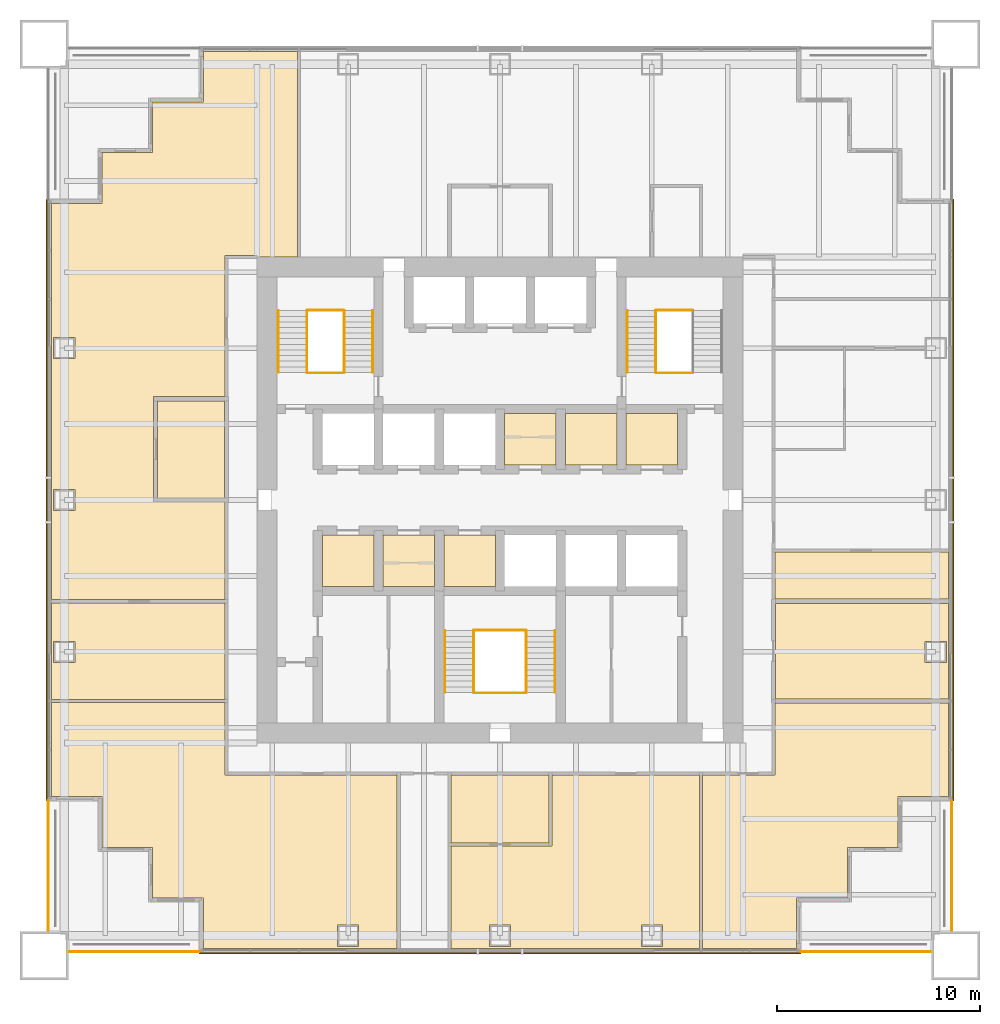
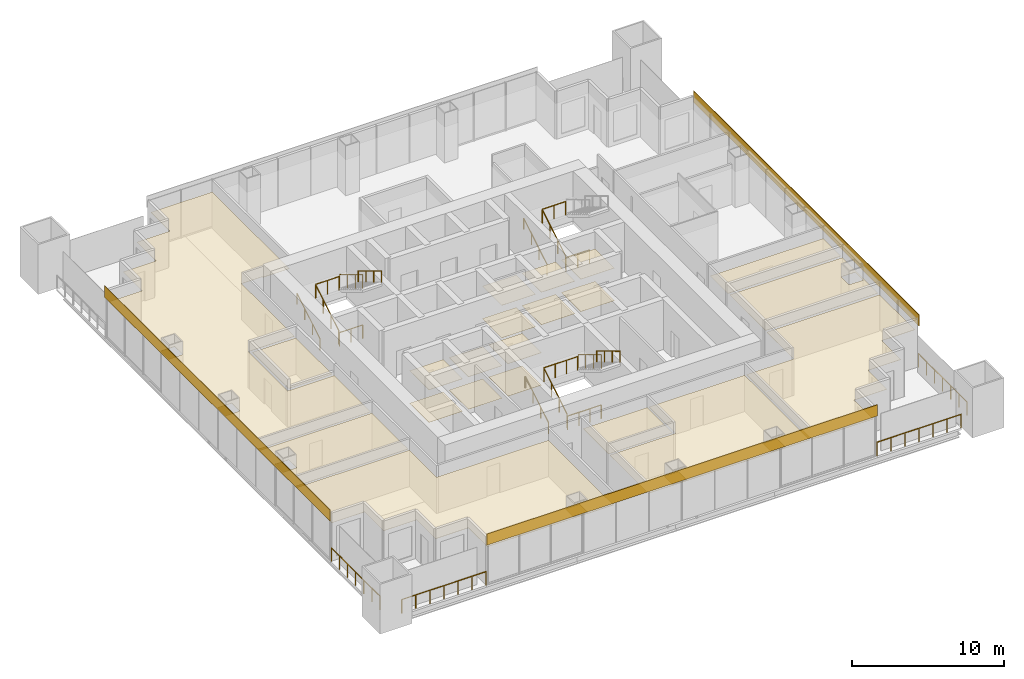
# One storey, part 12 of 13: 24 coverings, 20 railings.
"""IFC4 building model written with IfcOpenShell, lengths in metres."""

from ifc_helpers import new_model, si_unit, direction, frame, origin, origin_2d, place, context, subcontext, project, spatial, polyline, rectangle, circle, outline, extrude, material, layer, layer_set, type_object, element, save


model = new_model("IFC4")

# Units and contexts
model_context = context("Model", 3, precision=1e-05, world=origin(), true_north=direction((0.0, 1.0)))
body_context = subcontext(model_context, "Body", "Model", "MODEL_VIEW")
ifc_project = project(units=[si_unit("LENGTHUNIT", "METRE"), si_unit("AREAUNIT", "SQUARE_METRE"), si_unit("VOLUMEUNIT", "CUBIC_METRE"), si_unit("PLANEANGLEUNIT", "RADIAN"), si_unit("MASSUNIT", "GRAM", prefix="KILO")], contexts=[model_context])

# Site, building, storey
site_placement = place(None, origin())
site = spatial("IfcSite", under=ifc_project, at=site_placement, CompositionType="ELEMENT")
building_placement = place(site_placement, origin())
building = spatial("IfcBuilding", under=site, at=building_placement, Name="Tarangal Relay Tower", CompositionType="ELEMENT")
storey_placement = place(building_placement, frame((0.0, 0.0, 197.89990234375)))
storey = spatial("IfcBuildingStorey", under=building, at=storey_placement, Name="L41", CompositionType="ELEMENT", Elevation=197.89990234375)

# Coverings
ifc_material_1 = material(Name="Anti-static vinyl flooring", Category="plastic")
ifc_layer_1 = layer(ifc_material_1, 0.010009765625)
ifc_layer_set_1 = layer_set([ifc_layer_1], Name="Anti-static vinyl floor")
covering_type_1 = type_object("IfcCoveringType", Name="Anti-static vinyl floor", PredefinedType="FLOORING", material=ifc_layer_set_1)
covering_1_placement = place(storey_placement, origin())
element("IfcCovering", 1, at=covering_1_placement, inside=storey, type_object=covering_type_1, Name="Floor finish FL1 L41-T1", PredefinedType="FLOORING", context=body_context, shape_type="SweptSolid", body=[
    extrude(outline(polyline([(0.22509765625, 1.72509765625), (2.77490234375, 1.72509765625), (2.77490234375, 4.27490234375), (0.22509765625, 4.27490234375), (0.22509765625, 1.72509765625)])), origin(), (0.0, 0.0, 1.0), 0.010009765625),
])
covering_2_placement = place(storey_placement, origin())
element("IfcCovering", 2, at=covering_2_placement, inside=storey, type_object=covering_type_1, Name="Floor finish FL1 L41-T2", PredefinedType="FLOORING", context=body_context, shape_type="SweptSolid", body=[
    extrude(outline(polyline([(3.22509765625, 1.72509765625), (5.77490234375, 1.72509765625), (5.77490234375, 4.27490234375), (3.22509765625, 4.27490234375), (3.22509765625, 1.72509765625)])), origin(), (0.0, 0.0, 1.0), 0.010009765625),
])
covering_3_placement = place(storey_placement, origin())
element("IfcCovering", 3, at=covering_3_placement, inside=storey, type_object=covering_type_1, Name="Floor finish FL1 L41-T3", PredefinedType="FLOORING", context=body_context, shape_type="SweptSolid", body=[
    extrude(outline(polyline([(6.22509765625, 1.72509765625), (8.77490234375, 1.72509765625), (8.77490234375, 4.27490234375), (6.22509765625, 4.27490234375), (6.22509765625, 1.72509765625)])), origin(), (0.0, 0.0, 1.0), 0.010009765625),
])
covering_4_placement = place(storey_placement, origin())
element("IfcCovering", 4, at=covering_4_placement, inside=storey, type_object=covering_type_1, Name="Floor finish FL1 L41-S1", PredefinedType="FLOORING", context=body_context, shape_type="SweptSolid", body=[
    extrude(outline(polyline([(-8.77490234375, -4.27490234375), (-6.22509765625, -4.27490234375), (-6.22509765625, -1.72509765625), (-8.77490234375, -1.72509765625), (-8.77490234375, -4.27490234375)])), origin(), (0.0, 0.0, 1.0), 0.010009765625),
])
covering_5_placement = place(storey_placement, origin())
element("IfcCovering", 5, at=covering_5_placement, inside=storey, type_object=covering_type_1, Name="Floor finish FL1 L41-S2", PredefinedType="FLOORING", context=body_context, shape_type="SweptSolid", body=[
    extrude(outline(polyline([(-5.77490234375, -4.27490234375), (-3.22509765625, -4.27490234375), (-3.22509765625, -1.72509765625), (-5.77490234375, -1.72509765625), (-5.77490234375, -4.27490234375)])), origin(), (0.0, 0.0, 1.0), 0.010009765625),
])
covering_6_placement = place(storey_placement, origin())
element("IfcCovering", 6, at=covering_6_placement, inside=storey, type_object=covering_type_1, Name="Floor finish FL1 L41-S3", PredefinedType="FLOORING", context=body_context, shape_type="SweptSolid", body=[
    extrude(outline(polyline([(-2.77490234375, -4.27490234375), (-0.22509765625, -4.27490234375), (-0.22509765625, -1.72509765625), (-2.77490234375, -1.72509765625), (-2.77490234375, -4.27490234375)])), origin(), (0.0, 0.0, 1.0), 0.010009765625),
])
ifc_material_2 = material(Name="Black anodised aluminium cladding", Category="aluminium")
ifc_layer_2 = layer(ifc_material_2, 0.050048828125)
ifc_layer_set_2 = layer_set([ifc_layer_2], Name="Black metal spandrel band")
covering_type_2 = type_object("IfcCoveringType", Name="Black metal spandrel band", PredefinedType="CLADDING", material=ifc_layer_set_2)
for number, where, z_axis, x_axis, name in (
    (7, (22.375, 0.0, 3.250244140625), (0.0, 0.0, 1.0), (0.0, -1.0, 0.0), "Spandrel band SB1 E L41"),
    (8, (0.0, -22.375, 3.250244140625), (0.0, 0.0, 1.0), (-1.0, 0.0, 0.0), "Spandrel band SB1 S L41"),
    (9, (-22.375, 0.0, 3.250244140625), (0.0, 0.0, 1.0), (0.0, 1.0, 0.0), "Spandrel band SB1 W L41"),
):
    element("IfcCovering", number, at=place(storey_placement, frame(where, z_axis=z_axis, x_axis=x_axis)), inside=storey, type_object=covering_type_2, Name=name, PredefinedType="CLADDING", context=body_context, shape_type="SweptSolid", body=[
        extrude(rectangle(XDim=29.699951171875, YDim=0.050048828125, at=origin_2d()), origin(), (0.0, 0.0, 1.0), 0.89990234375),
    ])

# Railings
ifc_material_3 = material(Name="Steel guard, black finish", Category="steel")
railing_type_1 = type_object("IfcRailingType", Name="Stair guard 1100", PredefinedType="GUARDRAIL", material=ifc_material_3)
railing_1_placement = place(storey_placement, frame((-9.530029296875, 6.300048828125, 0.166748046875)))
element("IfcRailing", 10, at=railing_1_placement, inside=storey, type_object=railing_type_1, Name="Stair ST-A guard GR1 L41 flight 1", PredefinedType="GUARDRAIL", context=body_context, shape_type="SweptSolid", body=[
    extrude(circle(Radius=0.02392578125, at=origin_2d()), frame((0.0, 0.0, 1.076171875), z_axis=(0.0, 0.85685617095, 0.515555527858), x_axis=(-1.0, 0.0, 0.0)), (0.0, 0.0, 1.0), 3.555908203125),
    extrude(circle(Radius=0.02099609375, at=origin_2d()), origin(), (0.0, 0.0, 1.0), 1.052001953125),
    extrude(circle(Radius=0.02099609375, at=origin_2d()), frame((0.0, 1.015625, 0.611083984375)), (0.0, 0.0, 1.0), 1.052001953125),
    extrude(circle(Radius=0.02099609375, at=origin_2d()), frame((0.0, 2.03125, 1.22216796875)), (0.0, 0.0, 1.0), 1.052001953125),
    extrude(circle(Radius=0.02099609375, at=origin_2d()), frame((0.0, 3.046875, 1.833251953125)), (0.0, 0.0, 1.0), 1.052001953125),
])
railing_2_placement = place(storey_placement, frame((-7.695068359375, 9.346923828125, 2.166748046875)))
element("IfcRailing", 11, at=railing_2_placement, inside=storey, type_object=railing_type_1, Name="Stair ST-A guard GR1 L41 flight 2", PredefinedType="GUARDRAIL", context=body_context, shape_type="SweptSolid", body=[
    extrude(circle(Radius=0.02392578125, at=origin_2d()), frame((0.0, 0.0, 1.076171875), z_axis=(0.0, -0.85685617095, 0.515555527858), x_axis=(1.0, 0.0, 0.0)), (0.0, 0.0, 1.0), 3.555908203125),
    extrude(circle(Radius=0.02099609375, at=origin_2d()), origin(), (0.0, 0.0, 1.0), 1.052001953125),
    extrude(circle(Radius=0.02099609375, at=origin_2d()), frame((0.0, -1.015625, 0.611083984375)), (0.0, 0.0, 1.0), 1.052001953125),
    extrude(circle(Radius=0.02099609375, at=origin_2d()), frame((0.0, -2.03125, 1.22216796875)), (0.0, 0.0, 1.0), 1.052001953125),
    extrude(circle(Radius=0.02099609375, at=origin_2d()), frame((0.0, -3.046875, 1.833251953125)), (0.0, 0.0, 1.0), 1.052001953125),
])
for number, where, name in (
    (12, (-9.5, 6.27001953125, 0.0), "Stair ST-A landing guard GR1 L41"),
    (13, (-9.5, 9.376953125, 2.0), "Stair ST-A landing guard GR1 L41"),
):
    element("IfcRailing", number, at=place(storey_placement, frame(where)), inside=storey, type_object=railing_type_1, Name=name, PredefinedType="GUARDRAIL", context=body_context, shape_type="SweptSolid", body=[
        extrude(circle(Radius=0.02392578125, at=origin_2d()), frame((0.0, 0.0, 1.076171875), z_axis=(1.0, 0.0, 0.0), x_axis=(0.0, 1.0, 0.0)), (0.0, 0.0, 1.0), 1.77490234375),
        extrude(circle(Radius=0.02099609375, at=origin_2d()), origin(), (0.0, 0.0, 1.0), 1.052001953125),
        extrude(circle(Radius=0.02099609375, at=origin_2d()), frame((0.887451171875, 0.0, 0.0)), (0.0, 0.0, 1.0), 1.052001953125),
        extrude(circle(Radius=0.02099609375, at=origin_2d()), frame((1.77490234375, 0.0, 0.0)), (0.0, 0.0, 1.0), 1.052001953125),
    ])
railing_3_placement = place(storey_placement, frame((7.695068359375, 6.300048828125, 0.166748046875)))
element("IfcRailing", 14, at=railing_3_placement, inside=storey, type_object=railing_type_1, Name="Stair ST-B guard GR1 L41 flight 1", PredefinedType="GUARDRAIL", context=body_context, shape_type="SweptSolid", body=[
    extrude(circle(Radius=0.02392578125, at=origin_2d()), frame((0.0, 0.0, 1.076171875), z_axis=(0.0, 0.85685617095, 0.515555527858), x_axis=(-1.0, 0.0, 0.0)), (0.0, 0.0, 1.0), 3.555908203125),
    extrude(circle(Radius=0.02099609375, at=origin_2d()), origin(), (0.0, 0.0, 1.0), 1.052001953125),
    extrude(circle(Radius=0.02099609375, at=origin_2d()), frame((0.0, 1.015625, 0.611083984375)), (0.0, 0.0, 1.0), 1.052001953125),
    extrude(circle(Radius=0.02099609375, at=origin_2d()), frame((0.0, 2.03125, 1.22216796875)), (0.0, 0.0, 1.0), 1.052001953125),
    extrude(circle(Radius=0.02099609375, at=origin_2d()), frame((0.0, 3.046875, 1.833251953125)), (0.0, 0.0, 1.0), 1.052001953125),
])
for number, where, name in (
    (15, (7.72509765625, 6.27001953125, 0.0), "Stair ST-B landing guard GR1 L41"),
    (16, (7.72509765625, 9.376953125, 2.0), "Stair ST-B landing guard GR1 L41"),
):
    element("IfcRailing", number, at=place(storey_placement, frame(where)), inside=storey, type_object=railing_type_1, Name=name, PredefinedType="GUARDRAIL", context=body_context, shape_type="SweptSolid", body=[
        extrude(circle(Radius=0.02392578125, at=origin_2d()), frame((0.0, 0.0, 1.076171875), z_axis=(1.0, 0.0, 0.0), x_axis=(0.0, 1.0, 0.0)), (0.0, 0.0, 1.0), 1.77490234375),
        extrude(circle(Radius=0.02099609375, at=origin_2d()), origin(), (0.0, 0.0, 1.0), 1.052001953125),
        extrude(circle(Radius=0.02099609375, at=origin_2d()), frame((0.887451171875, 0.0, 0.0)), (0.0, 0.0, 1.0), 1.052001953125),
        extrude(circle(Radius=0.02099609375, at=origin_2d()), frame((1.77490234375, 0.0, 0.0)), (0.0, 0.0, 1.0), 1.052001953125),
    ])
railing_4_placement = place(storey_placement, frame((-1.304931640625, -9.5, 0.166748046875)))
element("IfcRailing", 17, at=railing_4_placement, inside=storey, type_object=railing_type_1, Name="Stair ST-C guard GR1 L41 flight 1", PredefinedType="GUARDRAIL", context=body_context, shape_type="SweptSolid", body=[
    extrude(circle(Radius=0.02392578125, at=origin_2d()), frame((0.0, 0.0, 1.076171875), z_axis=(0.0, 0.856874418557, 0.515525199018), x_axis=(-1.0, 0.0, 0.0)), (0.0, 0.0, 1.0), 3.55615234375),
    extrude(circle(Radius=0.02099609375, at=origin_2d()), origin(), (0.0, 0.0, 1.0), 1.052001953125),
    extrude(circle(Radius=0.02099609375, at=origin_2d()), frame((0.0, 1.015625, 0.611083984375)), (0.0, 0.0, 1.0), 1.052001953125),
    extrude(circle(Radius=0.02099609375, at=origin_2d()), frame((0.0, 2.031494140625, 1.22216796875)), (0.0, 0.0, 1.0), 1.052001953125),
    extrude(circle(Radius=0.02099609375, at=origin_2d()), frame((0.0, 3.047119140625, 1.833251953125)), (0.0, 0.0, 1.0), 1.052001953125),
])
railing_5_placement = place(storey_placement, frame((1.304931640625, -6.452880859375, 2.166748046875)))
element("IfcRailing", 18, at=railing_5_placement, inside=storey, type_object=railing_type_1, Name="Stair ST-C guard GR1 L41 flight 2", PredefinedType="GUARDRAIL", context=body_context, shape_type="SweptSolid", body=[
    extrude(circle(Radius=0.02392578125, at=origin_2d()), frame((0.0, 0.0, 1.076171875), z_axis=(0.0, -0.856874418557, 0.515525199018), x_axis=(1.0, 0.0, 0.0)), (0.0, 0.0, 1.0), 3.55615234375),
    extrude(circle(Radius=0.02099609375, at=origin_2d()), origin(), (0.0, 0.0, 1.0), 1.052001953125),
    extrude(circle(Radius=0.02099609375, at=origin_2d()), frame((0.0, -1.015625, 0.611083984375)), (0.0, 0.0, 1.0), 1.052001953125),
    extrude(circle(Radius=0.02099609375, at=origin_2d()), frame((0.0, -2.031494140625, 1.22216796875)), (0.0, 0.0, 1.0), 1.052001953125),
    extrude(circle(Radius=0.02099609375, at=origin_2d()), frame((0.0, -3.047119140625, 1.833251953125)), (0.0, 0.0, 1.0), 1.052001953125),
])
for number, where, name in (
    (19, (-1.27490234375, -9.530029296875, 0.0), "Stair ST-C landing guard GR1 L41"),
    (20, (-1.27490234375, -6.423095703125, 2.0), "Stair ST-C landing guard GR1 L41"),
):
    element("IfcRailing", number, at=place(storey_placement, frame(where)), inside=storey, type_object=railing_type_1, Name=name, PredefinedType="GUARDRAIL", context=body_context, shape_type="SweptSolid", body=[
        extrude(circle(Radius=0.02392578125, at=origin_2d()), frame((0.0, 0.0, 1.076171875), z_axis=(1.0, 0.0, 0.0), x_axis=(0.0, 1.0, 0.0)), (0.0, 0.0, 1.0), 2.5498046875),
        extrude(circle(Radius=0.02099609375, at=origin_2d()), origin(), (0.0, 0.0, 1.0), 1.052001953125),
        extrude(circle(Radius=0.02099609375, at=origin_2d()), frame((0.849853515625, 0.0, 0.0)), (0.0, 0.0, 1.0), 1.052001953125),
        extrude(circle(Radius=0.02099609375, at=origin_2d()), frame((1.699951171875, 0.0, 0.0)), (0.0, 0.0, 1.0), 1.052001953125),
        extrude(circle(Radius=0.02099609375, at=origin_2d()), frame((2.5498046875, 0.0, 0.0)), (0.0, 0.0, 1.0), 1.052001953125),
    ])
ifc_material_4 = material(Name="Steel handrail, black finish", Category="steel")
railing_type_2 = type_object("IfcRailingType", Name="Stair handrail 900", PredefinedType="HANDRAIL", material=ifc_material_4)
railing_6_placement = place(storey_placement, frame((-10.93994140625, 6.300048828125, 0.166748046875)))
element("IfcRailing", 21, at=railing_6_placement, inside=storey, type_object=railing_type_2, Name="Stair ST-A handrail HR1 L41 flight 1", PredefinedType="HANDRAIL", context=body_context, shape_type="SweptSolid", body=[
    extrude(circle(Radius=0.02392578125, at=origin_2d()), frame((0.0, 0.0, 0.8759765625), z_axis=(0.0, 0.85685617095, 0.515555527858), x_axis=(-1.0, 0.0, 0.0)), (0.0, 0.0, 1.0), 3.555908203125),
    extrude(circle(Radius=0.02099609375, at=origin_2d()), origin(), (0.0, 0.0, 1.0), 0.851806640625),
    extrude(circle(Radius=0.02099609375, at=origin_2d()), frame((0.0, 1.015625, 0.611083984375)), (0.0, 0.0, 1.0), 0.851806640625),
    extrude(circle(Radius=0.02099609375, at=origin_2d()), frame((0.0, 2.03125, 1.22216796875)), (0.0, 0.0, 1.0), 0.851806640625),
    extrude(circle(Radius=0.02099609375, at=origin_2d()), frame((0.0, 3.046875, 1.833251953125)), (0.0, 0.0, 1.0), 0.851806640625),
])
railing_7_placement = place(storey_placement, frame((-6.284912109375, 9.346923828125, 2.166748046875)))
element("IfcRailing", 22, at=railing_7_placement, inside=storey, type_object=railing_type_2, Name="Stair ST-A handrail HR1 L41 flight 2", PredefinedType="HANDRAIL", context=body_context, shape_type="SweptSolid", body=[
    extrude(circle(Radius=0.02392578125, at=origin_2d()), frame((0.0, 0.0, 0.8759765625), z_axis=(0.0, -0.85685617095, 0.515555527858), x_axis=(1.0, 0.0, 0.0)), (0.0, 0.0, 1.0), 3.555908203125),
    extrude(circle(Radius=0.02099609375, at=origin_2d()), origin(), (0.0, 0.0, 1.0), 0.851806640625),
    extrude(circle(Radius=0.02099609375, at=origin_2d()), frame((0.0, -1.015625, 0.611083984375)), (0.0, 0.0, 1.0), 0.851806640625),
    extrude(circle(Radius=0.02099609375, at=origin_2d()), frame((0.0, -2.03125, 1.22216796875)), (0.0, 0.0, 1.0), 0.851806640625),
    extrude(circle(Radius=0.02099609375, at=origin_2d()), frame((0.0, -3.046875, 1.833251953125)), (0.0, 0.0, 1.0), 0.851806640625),
])
railing_8_placement = place(storey_placement, frame((6.284912109375, 6.300048828125, 0.166748046875)))
element("IfcRailing", 23, at=railing_8_placement, inside=storey, type_object=railing_type_2, Name="Stair ST-B handrail HR1 L41 flight 1", PredefinedType="HANDRAIL", context=body_context, shape_type="SweptSolid", body=[
    extrude(circle(Radius=0.02392578125, at=origin_2d()), frame((0.0, 0.0, 0.8759765625), z_axis=(0.0, 0.85685617095, 0.515555527858), x_axis=(-1.0, 0.0, 0.0)), (0.0, 0.0, 1.0), 3.555908203125),
    extrude(circle(Radius=0.02099609375, at=origin_2d()), origin(), (0.0, 0.0, 1.0), 0.851806640625),
    extrude(circle(Radius=0.02099609375, at=origin_2d()), frame((0.0, 1.015625, 0.611083984375)), (0.0, 0.0, 1.0), 0.851806640625),
    extrude(circle(Radius=0.02099609375, at=origin_2d()), frame((0.0, 2.03125, 1.22216796875)), (0.0, 0.0, 1.0), 0.851806640625),
    extrude(circle(Radius=0.02099609375, at=origin_2d()), frame((0.0, 3.046875, 1.833251953125)), (0.0, 0.0, 1.0), 0.851806640625),
])
railing_9_placement = place(storey_placement, frame((-2.715087890625, -9.5, 0.166748046875)))
element("IfcRailing", 24, at=railing_9_placement, inside=storey, type_object=railing_type_2, Name="Stair ST-C handrail HR1 L41 flight 1", PredefinedType="HANDRAIL", context=body_context, shape_type="SweptSolid", body=[
    extrude(circle(Radius=0.02392578125, at=origin_2d()), frame((0.0, 0.0, 0.8759765625), z_axis=(0.0, 0.856874418557, 0.515525199018), x_axis=(-1.0, 0.0, 0.0)), (0.0, 0.0, 1.0), 3.55615234375),
    extrude(circle(Radius=0.02099609375, at=origin_2d()), origin(), (0.0, 0.0, 1.0), 0.851806640625),
    extrude(circle(Radius=0.02099609375, at=origin_2d()), frame((0.0, 1.015625, 0.611083984375)), (0.0, 0.0, 1.0), 0.851806640625),
    extrude(circle(Radius=0.02099609375, at=origin_2d()), frame((0.0, 2.031494140625, 1.22216796875)), (0.0, 0.0, 1.0), 0.851806640625),
    extrude(circle(Radius=0.02099609375, at=origin_2d()), frame((0.0, 3.047119140625, 1.833251953125)), (0.0, 0.0, 1.0), 0.851806640625),
])
railing_10_placement = place(storey_placement, frame((2.715087890625, -6.452880859375, 2.166748046875)))
element("IfcRailing", 25, at=railing_10_placement, inside=storey, type_object=railing_type_2, Name="Stair ST-C handrail HR1 L41 flight 2", PredefinedType="HANDRAIL", context=body_context, shape_type="SweptSolid", body=[
    extrude(circle(Radius=0.02392578125, at=origin_2d()), frame((0.0, 0.0, 0.8759765625), z_axis=(0.0, -0.856874418557, 0.515525199018), x_axis=(1.0, 0.0, 0.0)), (0.0, 0.0, 1.0), 3.55615234375),
    extrude(circle(Radius=0.02099609375, at=origin_2d()), origin(), (0.0, 0.0, 1.0), 0.851806640625),
    extrude(circle(Radius=0.02099609375, at=origin_2d()), frame((0.0, -1.015625, 0.611083984375)), (0.0, 0.0, 1.0), 0.851806640625),
    extrude(circle(Radius=0.02099609375, at=origin_2d()), frame((0.0, -2.031494140625, 1.22216796875)), (0.0, 0.0, 1.0), 0.851806640625),
    extrude(circle(Radius=0.02099609375, at=origin_2d()), frame((0.0, -3.047119140625, 1.833251953125)), (0.0, 0.0, 1.0), 0.851806640625),
])

# Coverings
ifc_material_5 = material(Name="Mineral fibre ceiling tiles", Category="gypsum")
ifc_layer_3 = layer(ifc_material_5, 0.02001953125)
ifc_layer_set_3 = layer_set([ifc_layer_3], Name="Suspended ceiling")
covering_type_3 = type_object("IfcCoveringType", Name="Suspended ceiling", PredefinedType="CEILING", material=ifc_layer_set_3)
covering_7_placement = place(storey_placement, frame((0.0, 0.0, 2.60009765625)))
element("IfcCovering", 26, at=covering_7_placement, inside=storey, type_object=covering_type_3, Name="Suspended ceiling CL1 L41-T1", PredefinedType="CEILING", context=body_context, shape_type="SweptSolid", body=[
    extrude(outline(polyline([(0.22509765625, 1.72509765625), (2.77490234375, 1.72509765625), (2.77490234375, 4.27490234375), (0.22509765625, 4.27490234375), (0.22509765625, 1.72509765625)])), origin(), (0.0, 0.0, 1.0), 0.02001953125),
])
covering_8_placement = place(storey_placement, frame((0.0, 0.0, 2.60009765625)))
element("IfcCovering", 27, at=covering_8_placement, inside=storey, type_object=covering_type_3, Name="Suspended ceiling CL1 L41-T2", PredefinedType="CEILING", context=body_context, shape_type="SweptSolid", body=[
    extrude(outline(polyline([(3.22509765625, 1.72509765625), (5.77490234375, 1.72509765625), (5.77490234375, 4.27490234375), (3.22509765625, 4.27490234375), (3.22509765625, 1.72509765625)])), origin(), (0.0, 0.0, 1.0), 0.02001953125),
])
covering_9_placement = place(storey_placement, frame((0.0, 0.0, 2.60009765625)))
element("IfcCovering", 28, at=covering_9_placement, inside=storey, type_object=covering_type_3, Name="Suspended ceiling CL1 L41-T3", PredefinedType="CEILING", context=body_context, shape_type="SweptSolid", body=[
    extrude(outline(polyline([(6.22509765625, 1.72509765625), (8.77490234375, 1.72509765625), (8.77490234375, 4.27490234375), (6.22509765625, 4.27490234375), (6.22509765625, 1.72509765625)])), origin(), (0.0, 0.0, 1.0), 0.02001953125),
])
covering_10_placement = place(storey_placement, frame((0.0, 0.0, 2.60009765625)))
element("IfcCovering", 29, at=covering_10_placement, inside=storey, type_object=covering_type_3, Name="Suspended ceiling CL1 L41-S1", PredefinedType="CEILING", context=body_context, shape_type="SweptSolid", body=[
    extrude(outline(polyline([(-8.77490234375, -4.27490234375), (-6.22509765625, -4.27490234375), (-6.22509765625, -1.72509765625), (-8.77490234375, -1.72509765625), (-8.77490234375, -4.27490234375)])), origin(), (0.0, 0.0, 1.0), 0.02001953125),
])
covering_11_placement = place(storey_placement, frame((0.0, 0.0, 2.60009765625)))
element("IfcCovering", 30, at=covering_11_placement, inside=storey, type_object=covering_type_3, Name="Suspended ceiling CL1 L41-S2", PredefinedType="CEILING", context=body_context, shape_type="SweptSolid", body=[
    extrude(outline(polyline([(-5.77490234375, -4.27490234375), (-3.22509765625, -4.27490234375), (-3.22509765625, -1.72509765625), (-5.77490234375, -1.72509765625), (-5.77490234375, -4.27490234375)])), origin(), (0.0, 0.0, 1.0), 0.02001953125),
])
covering_12_placement = place(storey_placement, frame((0.0, 0.0, 2.60009765625)))
element("IfcCovering", 31, at=covering_12_placement, inside=storey, type_object=covering_type_3, Name="Suspended ceiling CL1 L41-S3", PredefinedType="CEILING", context=body_context, shape_type="SweptSolid", body=[
    extrude(outline(polyline([(-2.77490234375, -4.27490234375), (-0.22509765625, -4.27490234375), (-0.22509765625, -1.72509765625), (-2.77490234375, -1.72509765625), (-2.77490234375, -4.27490234375)])), origin(), (0.0, 0.0, 1.0), 0.02001953125),
])
covering_13_placement = place(storey_placement, frame((0.0, 0.0, 2.900146484375)))
element("IfcCovering", 32, at=covering_13_placement, inside=storey, type_object=covering_type_3, Name="Suspended ceiling CL1 L41-07", PredefinedType="CEILING", context=body_context, shape_type="SweptSolid", body=[
    extrude(outline(polyline([(22.14990234375, -2.574951171875), (13.574951171875, -2.574951171875), (13.574951171875, -4.89990234375), (22.14990234375, -4.89990234375), (22.14990234375, -2.574951171875)])), origin(), (0.0, 0.0, 1.0), 0.02001953125),
])
covering_14_placement = place(storey_placement, frame((0.0, 0.0, 2.900146484375)))
element("IfcCovering", 33, at=covering_14_placement, inside=storey, type_object=covering_type_3, Name="Suspended ceiling CL1 L41-08", PredefinedType="CEILING", context=body_context, shape_type="SweptSolid", body=[
    extrude(outline(polyline([(22.14990234375, -9.81689453125), (22.14990234375, -5.10009765625), (13.60009765625, -5.10009765625), (13.60009765625, -9.81689453125), (22.14990234375, -9.81689453125)]), holes=[polyline([(22.0400390625, -6.97509765625), (20.989990234375, -6.97509765625), (20.989990234375, -8.02490234375), (22.0400390625, -8.02490234375), (22.0400390625, -6.97509765625)])]), origin(), (0.0, 0.0, 1.0), 0.02001953125),
])
covering_15_placement = place(storey_placement, frame((0.0, 0.0, 2.900146484375)))
element("IfcCovering", 34, at=covering_15_placement, inside=storey, type_object=covering_type_3, Name="Suspended ceiling CL1 L41-09", PredefinedType="CEILING", context=body_context, shape_type="SweptSolid", body=[
    extrude(outline(polyline([(-2.425048828125, -22.14990234375), (9.842041015625, -22.14990234375), (9.842041015625, -13.574951171875), (2.574951171875, -13.574951171875), (2.574951171875, -17.074951171875), (-2.425048828125, -17.074951171875), (-2.425048828125, -22.14990234375)]), holes=[polyline([(0.52490234375, -22.0400390625), (0.52490234375, -20.989990234375), (-0.52490234375, -20.989990234375), (-0.52490234375, -22.0400390625), (0.52490234375, -22.0400390625)]), polyline([(8.02490234375, -22.0400390625), (8.02490234375, -20.989990234375), (6.97509765625, -20.989990234375), (6.97509765625, -22.0400390625), (8.02490234375, -22.0400390625)])]), origin(), (0.0, 0.0, 1.0), 0.02001953125),
])
covering_16_placement = place(storey_placement, frame((0.0, 0.0, 2.900146484375)))
element("IfcCovering", 35, at=covering_16_placement, inside=storey, type_object=covering_type_3, Name="Suspended ceiling CL1 L41-10", PredefinedType="CEILING", context=body_context, shape_type="SweptSolid", body=[
    extrude(outline(polyline([(-2.425048828125, -13.574951171875), (-2.425048828125, -16.925048828125), (2.425048828125, -16.925048828125), (2.425048828125, -13.574951171875), (-2.425048828125, -13.574951171875)])), origin(), (0.0, 0.0, 1.0), 0.02001953125),
])
covering_17_placement = place(storey_placement, frame((0.0, 0.0, 2.900146484375)))
element("IfcCovering", 36, at=covering_17_placement, inside=storey, type_object=covering_type_3, Name="Suspended ceiling CL1 L41-12", PredefinedType="CEILING", context=body_context, shape_type="SweptSolid", body=[
    extrude(outline(polyline([(-22.14990234375, -5.074951171875), (-22.14990234375, -9.842041015625), (-13.574951171875, -9.842041015625), (-13.574951171875, -5.074951171875), (-22.14990234375, -5.074951171875)]), holes=[polyline([(-20.989990234375, -6.97509765625), (-22.0400390625, -6.97509765625), (-22.0400390625, -8.02490234375), (-20.989990234375, -8.02490234375), (-20.989990234375, -6.97509765625)])]), origin(), (0.0, 0.0, 1.0), 0.02001953125),
])
covering_18_placement = place(storey_placement, frame((0.0, 0.0, 2.900146484375)))
element("IfcCovering", 37, at=covering_18_placement, inside=storey, type_object=covering_type_3, Name="Suspended ceiling CL1 L41-13", PredefinedType="CEILING", context=body_context, shape_type="SweptSolid", body=[
    extrude(outline(polyline([(-13.60009765625, 4.89990234375), (-16.89990234375, 4.89990234375), (-16.89990234375, 0.10009765625), (-13.60009765625, 0.10009765625), (-13.60009765625, 4.89990234375)])), origin(), (0.0, 0.0, 1.0), 0.02001953125),
])
covering_19_placement = place(storey_placement, frame((0.0, 0.0, 2.900146484375)))
element("IfcCovering", 38, at=covering_19_placement, inside=storey, type_object=covering_type_3, Name="Suspended ceiling CL1 L41-15", PredefinedType="CEILING", context=body_context, shape_type="SweptSolid", body=[
    extrude(outline(polyline([(-17.14990234375, -19.64990234375), (-14.64990234375, -19.64990234375), (-14.64990234375, -22.14990234375), (-5.074951171875, -22.14990234375), (-5.074951171875, -13.574951171875), (-13.574951171875, -13.574951171875), (-13.574951171875, -9.991943359375), (-22.14990234375, -9.991943359375), (-22.14990234375, -14.64990234375), (-19.64990234375, -14.64990234375), (-19.64990234375, -17.14990234375), (-17.14990234375, -17.14990234375), (-17.14990234375, -19.64990234375)]), holes=[polyline([(-6.97509765625, -20.989990234375), (-8.02490234375, -20.989990234375), (-8.02490234375, -22.0400390625), (-6.97509765625, -22.0400390625), (-6.97509765625, -20.989990234375)])]), origin(), (0.0, 0.0, 1.0), 0.02001953125),
])
covering_20_placement = place(storey_placement, frame((0.0, 0.0, 2.900146484375)))
element("IfcCovering", 39, at=covering_20_placement, inside=storey, type_object=covering_type_3, Name="Suspended ceiling CL1 L41-16", PredefinedType="CEILING", context=body_context, shape_type="SweptSolid", body=[
    extrude(outline(polyline([(-19.64990234375, 17.14990234375), (-19.64990234375, 14.64990234375), (-22.14990234375, 14.64990234375), (-22.14990234375, -4.925048828125), (-13.574951171875, -4.925048828125), (-13.574951171875, -0.10009765625), (-17.10009765625, -0.10009765625), (-17.10009765625, 5.10009765625), (-13.574951171875, 5.10009765625), (-13.574951171875, 12.074951171875), (-12.0, 12.074951171875), (-12.0, 12.0), (-9.991943359375, 12.0), (-9.991943359375, 22.14990234375), (-14.64990234375, 22.14990234375), (-14.64990234375, 19.64990234375), (-17.14990234375, 19.64990234375), (-17.14990234375, 17.14990234375), (-19.64990234375, 17.14990234375)]), holes=[polyline([(-20.989990234375, -0.52490234375), (-20.989990234375, 0.52490234375), (-22.0400390625, 0.52490234375), (-22.0400390625, -0.52490234375), (-20.989990234375, -0.52490234375)]), polyline([(-20.989990234375, 6.97509765625), (-20.989990234375, 8.02490234375), (-22.0400390625, 8.02490234375), (-22.0400390625, 6.97509765625), (-20.989990234375, 6.97509765625)])]), origin(), (0.0, 0.0, 1.0), 0.02001953125),
])
covering_21_placement = place(storey_placement, frame((0.0, 0.0, 2.900146484375)))
element("IfcCovering", 40, at=covering_21_placement, inside=storey, type_object=covering_type_3, Name="Suspended ceiling CL1 L41-17", PredefinedType="CEILING", context=body_context, shape_type="SweptSolid", body=[
    extrude(outline(polyline([(22.14990234375, -14.64990234375), (22.14990234375, -10.01708984375), (13.574951171875, -10.01708984375), (13.574951171875, -13.574951171875), (9.991943359375, -13.574951171875), (9.991943359375, -22.14990234375), (14.64990234375, -22.14990234375), (14.64990234375, -19.64990234375), (17.14990234375, -19.64990234375), (17.14990234375, -17.14990234375), (19.64990234375, -17.14990234375), (19.64990234375, -14.64990234375), (22.14990234375, -14.64990234375)])), origin(), (0.0, 0.0, 1.0), 0.02001953125),
])

# Railings
ifc_material_6 = material(Name="Black steel guard with glass infill", Category="steel")
railing_type_3 = type_object("IfcRailingType", Name="Terrace guard 1100", PredefinedType="GUARDRAIL", material=ifc_material_6)
railing_11_placement = place(storey_placement, frame((22.300048828125, -14.85009765625, 0.0)))
element("IfcRailing", 41, at=railing_11_placement, inside=storey, type_object=railing_type_3, Name="Terrace guard GR2 SE L41", PredefinedType="GUARDRAIL", context=body_context, shape_type="SweptSolid", body=[
    extrude(circle(Radius=0.02392578125, at=origin_2d()), frame((0.0, 0.0, 1.076171875), z_axis=(0.0, -1.0, 0.0), x_axis=(1.0, 0.0, 0.0)), (0.0, 0.0, 1.0), 6.39990234375),
    extrude(circle(Radius=0.02099609375, at=origin_2d()), origin(), (0.0, 0.0, 1.0), 1.052001953125),
    extrude(circle(Radius=0.02099609375, at=origin_2d()), frame((0.0, -1.066650390625, 0.0)), (0.0, 0.0, 1.0), 1.052001953125),
    extrude(circle(Radius=0.02099609375, at=origin_2d()), frame((0.0, -2.13330078125, 0.0)), (0.0, 0.0, 1.0), 1.052001953125),
    extrude(circle(Radius=0.02099609375, at=origin_2d()), frame((0.0, -3.199951171875, 0.0)), (0.0, 0.0, 1.0), 1.052001953125),
    extrude(circle(Radius=0.02099609375, at=origin_2d()), frame((0.0, -4.2666015625, 0.0)), (0.0, 0.0, 1.0), 1.052001953125),
    extrude(circle(Radius=0.02099609375, at=origin_2d()), frame((0.0, -5.333251953125, 0.0)), (0.0, 0.0, 1.0), 1.052001953125),
    extrude(circle(Radius=0.02099609375, at=origin_2d()), frame((0.0, -6.39990234375, 0.0)), (0.0, 0.0, 1.0), 1.052001953125),
])
for number, where, name in (
    (42, (21.25, -22.300048828125, 0.0), "Terrace guard GR2 SE L41"),
    (43, (-14.85009765625, -22.300048828125, 0.0), "Terrace guard GR2 SW L41"),
):
    element("IfcRailing", number, at=place(storey_placement, frame(where)), inside=storey, type_object=railing_type_3, Name=name, PredefinedType="GUARDRAIL", context=body_context, shape_type="SweptSolid", body=[
        extrude(circle(Radius=0.02392578125, at=origin_2d()), frame((0.0, 0.0, 1.076171875), z_axis=(-1.0, 0.0, 0.0), x_axis=(0.0, -1.0, 0.0)), (0.0, 0.0, 1.0), 6.39990234375),
        extrude(circle(Radius=0.02099609375, at=origin_2d()), origin(), (0.0, 0.0, 1.0), 1.052001953125),
        extrude(circle(Radius=0.02099609375, at=origin_2d()), frame((-1.066650390625, 0.0, 0.0)), (0.0, 0.0, 1.0), 1.052001953125),
        extrude(circle(Radius=0.02099609375, at=origin_2d()), frame((-2.13330078125, 0.0, 0.0)), (0.0, 0.0, 1.0), 1.052001953125),
        extrude(circle(Radius=0.02099609375, at=origin_2d()), frame((-3.199951171875, 0.0, 0.0)), (0.0, 0.0, 1.0), 1.052001953125),
        extrude(circle(Radius=0.02099609375, at=origin_2d()), frame((-4.2666015625, 0.0, 0.0)), (0.0, 0.0, 1.0), 1.052001953125),
        extrude(circle(Radius=0.02099609375, at=origin_2d()), frame((-5.333251953125, 0.0, 0.0)), (0.0, 0.0, 1.0), 1.052001953125),
        extrude(circle(Radius=0.02099609375, at=origin_2d()), frame((-6.39990234375, 0.0, 0.0)), (0.0, 0.0, 1.0), 1.052001953125),
    ])
railing_12_placement = place(storey_placement, frame((-22.300048828125, -21.25, 0.0)))
element("IfcRailing", 44, at=railing_12_placement, inside=storey, type_object=railing_type_3, Name="Terrace guard GR2 SW L41", PredefinedType="GUARDRAIL", context=body_context, shape_type="SweptSolid", body=[
    extrude(circle(Radius=0.02392578125, at=origin_2d()), frame((0.0, 0.0, 1.076171875), z_axis=(0.0, 1.0, 0.0), x_axis=(-1.0, 0.0, 0.0)), (0.0, 0.0, 1.0), 6.39990234375),
    extrude(circle(Radius=0.02099609375, at=origin_2d()), origin(), (0.0, 0.0, 1.0), 1.052001953125),
    extrude(circle(Radius=0.02099609375, at=origin_2d()), frame((0.0, 1.066650390625, 0.0)), (0.0, 0.0, 1.0), 1.052001953125),
    extrude(circle(Radius=0.02099609375, at=origin_2d()), frame((0.0, 2.13330078125, 0.0)), (0.0, 0.0, 1.0), 1.052001953125),
    extrude(circle(Radius=0.02099609375, at=origin_2d()), frame((0.0, 3.199951171875, 0.0)), (0.0, 0.0, 1.0), 1.052001953125),
    extrude(circle(Radius=0.02099609375, at=origin_2d()), frame((0.0, 4.2666015625, 0.0)), (0.0, 0.0, 1.0), 1.052001953125),
    extrude(circle(Radius=0.02099609375, at=origin_2d()), frame((0.0, 5.333251953125, 0.0)), (0.0, 0.0, 1.0), 1.052001953125),
    extrude(circle(Radius=0.02099609375, at=origin_2d()), frame((0.0, 6.39990234375, 0.0)), (0.0, 0.0, 1.0), 1.052001953125),
])

save(model, "model.ifc")
